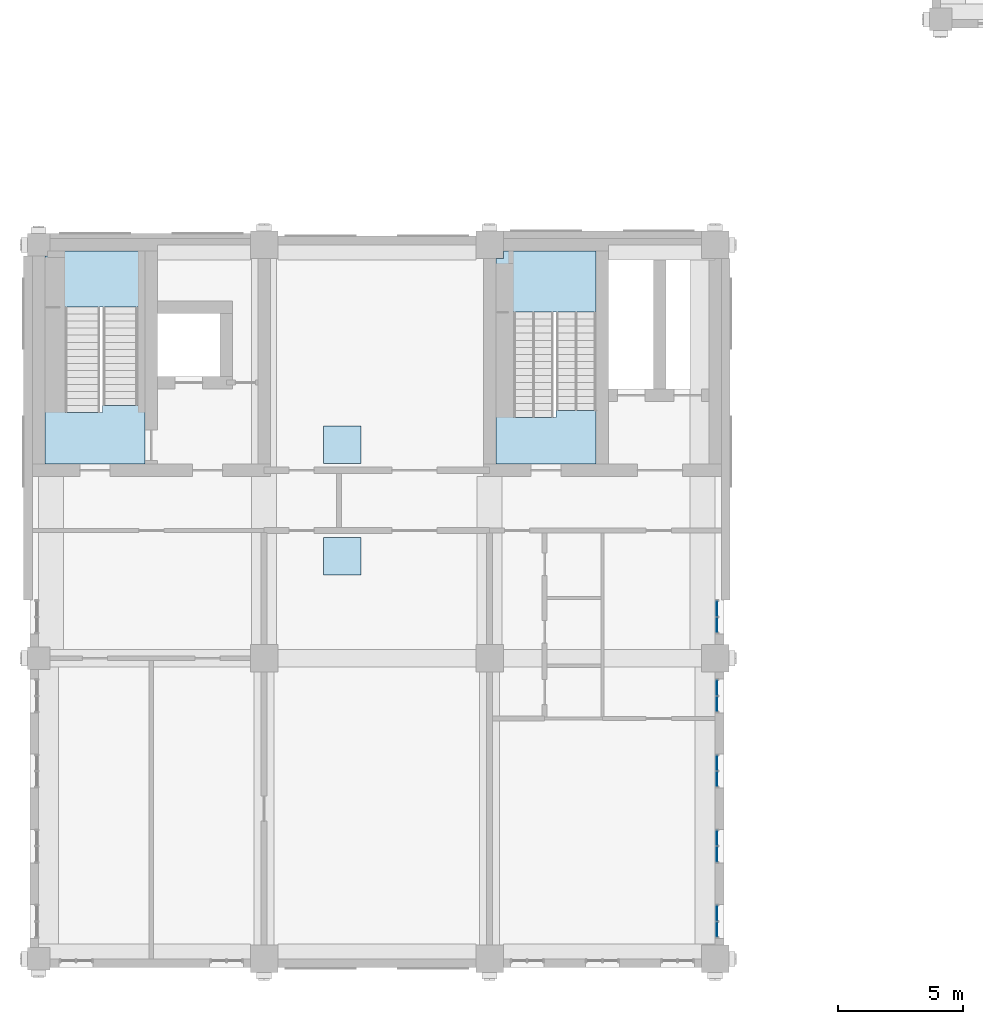
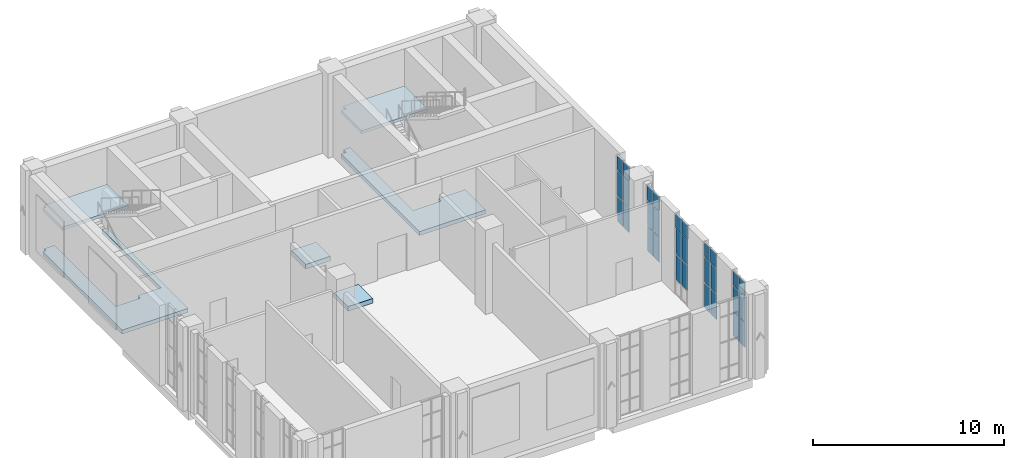
# One storey, part 10 of 25: 30 plates, 6 slabs, 7 elements without a shape of their own.
"""IFC4 building model written with IfcOpenShell, lengths in metres."""

from ifc_helpers import new_model, si_unit, direction, frame, origin, origin_2d, place, context, subcontext, project, spatial, polyline, rectangle, outline, extrude, material, layer, layer_set, type_object, element, aggregate, save


model = new_model("IFC4")

# Units and contexts
model_context = context("Model", 3, precision=1e-05, world=origin(), true_north=direction((0.0, 1.0)))
body_context = subcontext(model_context, "Body", "Model", "MODEL_VIEW")
ifc_project = project(units=[si_unit("LENGTHUNIT", "METRE"), si_unit("AREAUNIT", "SQUARE_METRE"), si_unit("VOLUMEUNIT", "CUBIC_METRE"), si_unit("PLANEANGLEUNIT", "RADIAN"), si_unit("MASSUNIT", "GRAM", prefix="KILO")], contexts=[model_context])

# Site, building, storey
site_placement = place(None, origin())
site = spatial("IfcSite", under=ifc_project, at=site_placement, CompositionType="ELEMENT")
building_placement = place(site_placement, origin())
building = spatial("IfcBuilding", under=site, at=building_placement, Name="Aurelan Courthouse", CompositionType="ELEMENT")
storey_placement = place(building_placement, frame((0.0, 0.0, 33.60009765625)))
storey = spatial("IfcBuildingStorey", under=building, at=storey_placement, Name="L06", CompositionType="ELEMENT", Elevation=33.60009765625)

# Curtain wall, plates
ifc_material_1 = material(Name="Bronze-finished aluminium and glass", Category="aluminium")
ifc_layer_1 = layer(ifc_material_1, 0.14990234375)
ifc_layer_set_1 = layer_set([ifc_layer_1], Name="Bronze-finished aluminium and glass")
curtain_wall_type = type_object("IfcCurtainWallType", Name="Curtain wall 1350 x 5150", PredefinedType="NOTDEFINED", material=ifc_layer_set_1)
curtain_wall_1_placement = place(storey_placement, origin())
curtain_wall_1 = element("IfcCurtainWall", 1, at=curtain_wall_1_placement, inside=storey, type_object=curtain_wall_type, Name="Curtain wall CW-V5-L06-E01", PredefinedType="NOTDEFINED")
ifc_material_2 = material(Name="Limestone cladding", Category="masonry")
ifc_layer_2 = layer(ifc_material_2, 0.0400390625, Name="Facing")
ifc_material_3 = material(Name="Bronze sheet cladding", Category="bronze")
ifc_layer_3 = layer(ifc_material_3, 0.02001953125, Name="Back sheet")
ifc_layer_set_2 = layer_set([ifc_layer_2, ifc_layer_3], Name="Limestone cladding")
plate_type_1 = type_object("IfcPlateType", Name="Limestone spandrel panel with bronze back sheet 60", PredefinedType="CURTAIN_PANEL", material=ifc_layer_set_2)
plate_1_placement = place(storey_placement, frame((27.074951171875, 1.177490234375, 4.22998046875), z_axis=(0.0, 0.0, 1.0), x_axis=(0.0, 1.0, 0.0)))
plate_1 = element("IfcPlate", 2, at=plate_1_placement, type_object=plate_type_1, Name="CW-V5-L06-E01 spandrel panel 1.4", PredefinedType="CURTAIN_PANEL", context=body_context, shape_type="SweptSolid", body=[
    extrude(rectangle(XDim=0.5849609375, YDim=0.06005859375, at=origin_2d()), origin(), (0.0, 0.0, 1.0), 0.860107421875),
])
plate_2_placement = place(storey_placement, frame((27.074951171875, 1.822509765625, 4.22998046875), z_axis=(0.0, 0.0, 1.0), x_axis=(0.0, 1.0, 0.0)))
plate_2 = element("IfcPlate", 3, at=plate_2_placement, type_object=plate_type_1, Name="CW-V5-L06-E01 spandrel panel 2.4", PredefinedType="CURTAIN_PANEL", context=body_context, shape_type="SweptSolid", body=[
    extrude(rectangle(XDim=0.5849609375, YDim=0.06005859375, at=origin_2d()), origin(), (0.0, 0.0, 1.0), 0.860107421875),
])

curtain_wall_2_placement = place(storey_placement, origin())
curtain_wall_2 = element("IfcCurtainWall", 4, at=curtain_wall_2_placement, inside=storey, type_object=curtain_wall_type, Name="Curtain wall CW-V5-L06-E02", PredefinedType="NOTDEFINED")
plate_3_placement = place(storey_placement, frame((27.074951171875, 4.177490234375, 4.22998046875), z_axis=(0.0, 0.0, 1.0), x_axis=(0.0, 1.0, 0.0)))
plate_3 = element("IfcPlate", 5, at=plate_3_placement, type_object=plate_type_1, Name="CW-V5-L06-E02 spandrel panel 1.4", PredefinedType="CURTAIN_PANEL", context=body_context, shape_type="SweptSolid", body=[
    extrude(rectangle(XDim=0.5849609375, YDim=0.06005859375, at=origin_2d()), origin(), (0.0, 0.0, 1.0), 0.860107421875),
])
plate_4_placement = place(storey_placement, frame((27.074951171875, 4.822509765625, 4.22998046875), z_axis=(0.0, 0.0, 1.0), x_axis=(0.0, 1.0, 0.0)))
plate_4 = element("IfcPlate", 6, at=plate_4_placement, type_object=plate_type_1, Name="CW-V5-L06-E02 spandrel panel 2.4", PredefinedType="CURTAIN_PANEL", context=body_context, shape_type="SweptSolid", body=[
    extrude(rectangle(XDim=0.5849609375, YDim=0.06005859375, at=origin_2d()), origin(), (0.0, 0.0, 1.0), 0.860107421875),
])

curtain_wall_3_placement = place(storey_placement, origin())
curtain_wall_3 = element("IfcCurtainWall", 7, at=curtain_wall_3_placement, inside=storey, type_object=curtain_wall_type, Name="Curtain wall CW-V5-L06-E03", PredefinedType="NOTDEFINED")
plate_5_placement = place(storey_placement, frame((27.074951171875, 7.177490234375, 4.22998046875), z_axis=(0.0, 0.0, 1.0), x_axis=(0.0, 1.0, 0.0)))
plate_5 = element("IfcPlate", 8, at=plate_5_placement, type_object=plate_type_1, Name="CW-V5-L06-E03 spandrel panel 1.4", PredefinedType="CURTAIN_PANEL", context=body_context, shape_type="SweptSolid", body=[
    extrude(rectangle(XDim=0.5849609375, YDim=0.06005859375, at=origin_2d()), origin(), (0.0, 0.0, 1.0), 0.860107421875),
])
plate_6_placement = place(storey_placement, frame((27.074951171875, 7.822509765625, 4.22998046875), z_axis=(0.0, 0.0, 1.0), x_axis=(0.0, 1.0, 0.0)))
plate_6 = element("IfcPlate", 9, at=plate_6_placement, type_object=plate_type_1, Name="CW-V5-L06-E03 spandrel panel 2.4", PredefinedType="CURTAIN_PANEL", context=body_context, shape_type="SweptSolid", body=[
    extrude(rectangle(XDim=0.5849609375, YDim=0.06005859375, at=origin_2d()), origin(), (0.0, 0.0, 1.0), 0.860107421875),
])

curtain_wall_4_placement = place(storey_placement, origin())
curtain_wall_4 = element("IfcCurtainWall", 10, at=curtain_wall_4_placement, inside=storey, type_object=curtain_wall_type, Name="Curtain wall CW-V5-L06-E04", PredefinedType="NOTDEFINED")
plate_7_placement = place(storey_placement, frame((27.074951171875, 10.177490234375, 4.22998046875), z_axis=(0.0, 0.0, 1.0), x_axis=(0.0, 1.0, 0.0)))
plate_7 = element("IfcPlate", 11, at=plate_7_placement, type_object=plate_type_1, Name="CW-V5-L06-E04 spandrel panel 1.4", PredefinedType="CURTAIN_PANEL", context=body_context, shape_type="SweptSolid", body=[
    extrude(rectangle(XDim=0.5849609375, YDim=0.06005859375, at=origin_2d()), origin(), (0.0, 0.0, 1.0), 0.860107421875),
])
plate_8_placement = place(storey_placement, frame((27.074951171875, 10.822509765625, 4.22998046875), z_axis=(0.0, 0.0, 1.0), x_axis=(0.0, 1.0, 0.0)))
plate_8 = element("IfcPlate", 12, at=plate_8_placement, type_object=plate_type_1, Name="CW-V5-L06-E04 spandrel panel 2.4", PredefinedType="CURTAIN_PANEL", context=body_context, shape_type="SweptSolid", body=[
    extrude(rectangle(XDim=0.5849609375, YDim=0.06005859375, at=origin_2d()), origin(), (0.0, 0.0, 1.0), 0.860107421875),
])

curtain_wall_5_placement = place(storey_placement, origin())
curtain_wall_5 = element("IfcCurtainWall", 13, at=curtain_wall_5_placement, inside=storey, type_object=curtain_wall_type, Name="Curtain wall CW-V5-L06-E05", PredefinedType="NOTDEFINED")
plate_9_placement = place(storey_placement, frame((27.074951171875, 13.327392578125, 4.22998046875), z_axis=(0.0, 0.0, 1.0), x_axis=(0.0, 1.0, 0.0)))
plate_9 = element("IfcPlate", 14, at=plate_9_placement, type_object=plate_type_1, Name="CW-V5-L06-E05 spandrel panel 1.4", PredefinedType="CURTAIN_PANEL", context=body_context, shape_type="SweptSolid", body=[
    extrude(rectangle(XDim=0.5849609375, YDim=0.06005859375, at=origin_2d()), origin(), (0.0, 0.0, 1.0), 0.860107421875),
])
plate_10_placement = place(storey_placement, frame((27.074951171875, 13.972412109375, 4.22998046875), z_axis=(0.0, 0.0, 1.0), x_axis=(0.0, 1.0, 0.0)))
plate_10 = element("IfcPlate", 15, at=plate_10_placement, type_object=plate_type_1, Name="CW-V5-L06-E05 spandrel panel 2.4", PredefinedType="CURTAIN_PANEL", context=body_context, shape_type="SweptSolid", body=[
    extrude(rectangle(XDim=0.5849609375, YDim=0.06005859375, at=origin_2d()), origin(), (0.0, 0.0, 1.0), 0.860107421875),
])

# Stair, slab
ifc_material_4 = material(Name="Concrete C30", Category="concrete")
stair_type_1 = type_object("IfcStairType", Name="Half-turn stair 1600 wide 31 risers", PredefinedType="HALF_TURN_STAIR", material=ifc_material_4)
stair_1_placement = place(storey_placement, origin())
stair_1 = element("IfcStair", 16, at=stair_1_placement, inside=storey, type_object=stair_type_1, Name="Stair ST-5A-L06", PredefinedType="HALF_TURN_STAIR")
ifc_layer_4 = layer(ifc_material_4, 0.25)
ifc_layer_set_3 = layer_set([ifc_layer_4], Name="Concrete C30")
slab_type_1 = type_object("IfcSlabType", Name="Stair floor landing 250 thick", PredefinedType="LANDING", material=ifc_layer_set_3)
slab_1_placement = place(storey_placement, frame((0.0, 0.0, -0.25)))
slab_1 = element("IfcSlab", 17, at=slab_1_placement, type_object=slab_type_1, Name="Stair ST-5A-L06 floor landing", PredefinedType="LANDING", context=body_context, shape_type="SweptSolid", body=[
    extrude(outline(polyline([(18.949951171875, 21.611083984375), (20.64990234375, 21.611083984375), (20.64990234375, 21.89111328125), (22.25, 21.89111328125), (22.25, 21.611083984375), (22.25, 21.60888671875), (22.25, 19.75), (18.25, 19.75), (18.25, 27.949951171875), (18.550048828125, 27.949951171875), (18.550048828125, 28.25), (18.949951171875, 28.25), (18.949951171875, 21.611083984375)])), origin(), (0.0, 0.0, 1.0), 0.25),
])

stair_type_2 = type_object("IfcStairType", Name="Half-turn stair 1400 wide 31 risers", PredefinedType="HALF_TURN_STAIR", material=ifc_material_4)
stair_2_placement = place(storey_placement, origin())
stair_2 = element("IfcStair", 18, at=stair_2_placement, inside=storey, type_object=stair_type_2, Name="Stair ST-5B-L06", PredefinedType="HALF_TURN_STAIR")
slab_2_placement = place(storey_placement, frame((0.0, 0.0, -0.25)))
slab_2 = element("IfcSlab", 19, at=slab_2_placement, type_object=slab_type_1, Name="Stair ST-5B-L06 floor landing", PredefinedType="LANDING", context=body_context, shape_type="SweptSolid", body=[
    extrude(outline(polyline([(1.06005859375, 28.25), (1.06005859375, 21.81103515625), (2.56005859375, 21.81103515625), (2.56005859375, 22.091064453125), (3.9599609375, 22.091064453125), (3.9599609375, 28.25), (4.25, 28.25), (4.25, 19.75), (0.409912109375, 19.75), (0.39990234375, 19.75), (0.25, 19.75), (0.25, 28.050048828125), (0.449951171875, 28.050048828125), (0.449951171875, 28.25), (1.06005859375, 28.25)])), origin(), (0.0, 0.0, 1.0), 0.25),
])

# Slab
ifc_layer_5 = layer(ifc_material_4, 0.199951171875)
ifc_layer_set_4 = layer_set([ifc_layer_5], Name="Concrete C30")
slab_type_2 = type_object("IfcSlabType", Name="Stair half landing 200 thick", PredefinedType="LANDING", material=ifc_layer_set_4)
slab_3_placement = place(storey_placement, frame((0.0, 0.0, 2.5869140625)))
slab_3 = element("IfcSlab", 20, at=slab_3_placement, type_object=slab_type_2, Name="Stair ST-5A-L06 half landing", PredefinedType="LANDING", context=body_context, shape_type="SweptSolid", body=[
    extrude(outline(polyline([(18.25, 27.949951171875), (18.550048828125, 27.949951171875), (18.550048828125, 28.25), (22.25, 28.25), (22.25, 25.81005859375), (18.25, 25.81005859375), (18.25, 27.949951171875)])), origin(), (0.0, 0.0, 1.0), 0.2001953125),
])

aggregate(stair_1, [slab_3, slab_1])

slab_4_placement = place(storey_placement, frame((0.0, 0.0, 2.5869140625)))
slab_4 = element("IfcSlab", 21, at=slab_4_placement, type_object=slab_type_2, Name="Stair ST-5B-L06 half landing", PredefinedType="LANDING", context=body_context, shape_type="SweptSolid", body=[
    extrude(outline(polyline([(4.25, 28.25), (4.25, 26.010009765625), (0.25, 26.010009765625), (0.25, 28.050048828125), (0.449951171875, 28.050048828125), (0.449951171875, 28.25), (4.25, 28.25)])), origin(), (0.0, 0.0, 1.0), 0.2001953125),
])

aggregate(stair_2, [slab_4, slab_2])

# Plate
ifc_material_5 = material(Name="Laminated low-emissivity glass", Category="glass")
ifc_layer_6 = layer(ifc_material_5, 0.028076171875)
ifc_layer_set_5 = layer_set([ifc_layer_6], Name="Laminated low-emissivity glass")
plate_type_2 = type_object("IfcPlateType", Name="Vision glass panel 28", PredefinedType="CURTAIN_PANEL", material=ifc_layer_set_5)
plate_11_placement = place(storey_placement, frame((27.074951171875, 1.177490234375, 0.9296875), z_axis=(0.0, 0.0, 1.0), x_axis=(0.0, 1.0, 0.0)))
plate_11 = element("IfcPlate", 22, at=plate_11_placement, type_object=plate_type_2, Name="CW-V5-L06-E01 vision panel 1.2", PredefinedType="CURTAIN_PANEL", context=body_context, shape_type="SweptSolid", body=[
    extrude(rectangle(XDim=0.5849609375, YDim=0.028076171875, at=origin_2d()), origin(), (0.0, 0.0, 1.0), 1.590087890625),
])

plate_12_placement = place(storey_placement, frame((27.074951171875, 1.177490234375, 2.580078125), z_axis=(0.0, 0.0, 1.0), x_axis=(0.0, 1.0, 0.0)))
plate_12 = element("IfcPlate", 23, at=plate_12_placement, type_object=plate_type_2, Name="CW-V5-L06-E01 vision panel 1.3", PredefinedType="CURTAIN_PANEL", context=body_context, shape_type="SweptSolid", body=[
    extrude(rectangle(XDim=0.5849609375, YDim=0.028076171875, at=origin_2d()), origin(), (0.0, 0.0, 1.0), 1.590087890625),
])

plate_13_placement = place(storey_placement, frame((27.074951171875, 1.822509765625, 0.9296875), z_axis=(0.0, 0.0, 1.0), x_axis=(0.0, 1.0, 0.0)))
plate_13 = element("IfcPlate", 24, at=plate_13_placement, type_object=plate_type_2, Name="CW-V5-L06-E01 vision panel 2.2", PredefinedType="CURTAIN_PANEL", context=body_context, shape_type="SweptSolid", body=[
    extrude(rectangle(XDim=0.5849609375, YDim=0.028076171875, at=origin_2d()), origin(), (0.0, 0.0, 1.0), 1.590087890625),
])

plate_14_placement = place(storey_placement, frame((27.074951171875, 1.822509765625, 2.580078125), z_axis=(0.0, 0.0, 1.0), x_axis=(0.0, 1.0, 0.0)))
plate_14 = element("IfcPlate", 25, at=plate_14_placement, type_object=plate_type_2, Name="CW-V5-L06-E01 vision panel 2.3", PredefinedType="CURTAIN_PANEL", context=body_context, shape_type="SweptSolid", body=[
    extrude(rectangle(XDim=0.5849609375, YDim=0.028076171875, at=origin_2d()), origin(), (0.0, 0.0, 1.0), 1.590087890625),
])

aggregate(curtain_wall_1, [plate_11, plate_12, plate_1, plate_13, plate_14, plate_2])

plate_15_placement = place(storey_placement, frame((27.074951171875, 4.177490234375, 0.9296875), z_axis=(0.0, 0.0, 1.0), x_axis=(0.0, 1.0, 0.0)))
plate_15 = element("IfcPlate", 26, at=plate_15_placement, type_object=plate_type_2, Name="CW-V5-L06-E02 vision panel 1.2", PredefinedType="CURTAIN_PANEL", context=body_context, shape_type="SweptSolid", body=[
    extrude(rectangle(XDim=0.5849609375, YDim=0.028076171875, at=origin_2d()), origin(), (0.0, 0.0, 1.0), 1.590087890625),
])

plate_16_placement = place(storey_placement, frame((27.074951171875, 4.177490234375, 2.580078125), z_axis=(0.0, 0.0, 1.0), x_axis=(0.0, 1.0, 0.0)))
plate_16 = element("IfcPlate", 27, at=plate_16_placement, type_object=plate_type_2, Name="CW-V5-L06-E02 vision panel 1.3", PredefinedType="CURTAIN_PANEL", context=body_context, shape_type="SweptSolid", body=[
    extrude(rectangle(XDim=0.5849609375, YDim=0.028076171875, at=origin_2d()), origin(), (0.0, 0.0, 1.0), 1.590087890625),
])

plate_17_placement = place(storey_placement, frame((27.074951171875, 4.822509765625, 0.9296875), z_axis=(0.0, 0.0, 1.0), x_axis=(0.0, 1.0, 0.0)))
plate_17 = element("IfcPlate", 28, at=plate_17_placement, type_object=plate_type_2, Name="CW-V5-L06-E02 vision panel 2.2", PredefinedType="CURTAIN_PANEL", context=body_context, shape_type="SweptSolid", body=[
    extrude(rectangle(XDim=0.5849609375, YDim=0.028076171875, at=origin_2d()), origin(), (0.0, 0.0, 1.0), 1.590087890625),
])

plate_18_placement = place(storey_placement, frame((27.074951171875, 4.822509765625, 2.580078125), z_axis=(0.0, 0.0, 1.0), x_axis=(0.0, 1.0, 0.0)))
plate_18 = element("IfcPlate", 29, at=plate_18_placement, type_object=plate_type_2, Name="CW-V5-L06-E02 vision panel 2.3", PredefinedType="CURTAIN_PANEL", context=body_context, shape_type="SweptSolid", body=[
    extrude(rectangle(XDim=0.5849609375, YDim=0.028076171875, at=origin_2d()), origin(), (0.0, 0.0, 1.0), 1.590087890625),
])

aggregate(curtain_wall_2, [plate_15, plate_16, plate_3, plate_17, plate_18, plate_4])

plate_19_placement = place(storey_placement, frame((27.074951171875, 7.177490234375, 0.9296875), z_axis=(0.0, 0.0, 1.0), x_axis=(0.0, 1.0, 0.0)))
plate_19 = element("IfcPlate", 30, at=plate_19_placement, type_object=plate_type_2, Name="CW-V5-L06-E03 vision panel 1.2", PredefinedType="CURTAIN_PANEL", context=body_context, shape_type="SweptSolid", body=[
    extrude(rectangle(XDim=0.5849609375, YDim=0.028076171875, at=origin_2d()), origin(), (0.0, 0.0, 1.0), 1.590087890625),
])

plate_20_placement = place(storey_placement, frame((27.074951171875, 7.177490234375, 2.580078125), z_axis=(0.0, 0.0, 1.0), x_axis=(0.0, 1.0, 0.0)))
plate_20 = element("IfcPlate", 31, at=plate_20_placement, type_object=plate_type_2, Name="CW-V5-L06-E03 vision panel 1.3", PredefinedType="CURTAIN_PANEL", context=body_context, shape_type="SweptSolid", body=[
    extrude(rectangle(XDim=0.5849609375, YDim=0.028076171875, at=origin_2d()), origin(), (0.0, 0.0, 1.0), 1.590087890625),
])

plate_21_placement = place(storey_placement, frame((27.074951171875, 7.822509765625, 0.9296875), z_axis=(0.0, 0.0, 1.0), x_axis=(0.0, 1.0, 0.0)))
plate_21 = element("IfcPlate", 32, at=plate_21_placement, type_object=plate_type_2, Name="CW-V5-L06-E03 vision panel 2.2", PredefinedType="CURTAIN_PANEL", context=body_context, shape_type="SweptSolid", body=[
    extrude(rectangle(XDim=0.5849609375, YDim=0.028076171875, at=origin_2d()), origin(), (0.0, 0.0, 1.0), 1.590087890625),
])

plate_22_placement = place(storey_placement, frame((27.074951171875, 7.822509765625, 2.580078125), z_axis=(0.0, 0.0, 1.0), x_axis=(0.0, 1.0, 0.0)))
plate_22 = element("IfcPlate", 33, at=plate_22_placement, type_object=plate_type_2, Name="CW-V5-L06-E03 vision panel 2.3", PredefinedType="CURTAIN_PANEL", context=body_context, shape_type="SweptSolid", body=[
    extrude(rectangle(XDim=0.5849609375, YDim=0.028076171875, at=origin_2d()), origin(), (0.0, 0.0, 1.0), 1.590087890625),
])

aggregate(curtain_wall_3, [plate_19, plate_20, plate_5, plate_21, plate_22, plate_6])

plate_23_placement = place(storey_placement, frame((27.074951171875, 10.177490234375, 0.9296875), z_axis=(0.0, 0.0, 1.0), x_axis=(0.0, 1.0, 0.0)))
plate_23 = element("IfcPlate", 34, at=plate_23_placement, type_object=plate_type_2, Name="CW-V5-L06-E04 vision panel 1.2", PredefinedType="CURTAIN_PANEL", context=body_context, shape_type="SweptSolid", body=[
    extrude(rectangle(XDim=0.5849609375, YDim=0.028076171875, at=origin_2d()), origin(), (0.0, 0.0, 1.0), 1.590087890625),
])

plate_24_placement = place(storey_placement, frame((27.074951171875, 10.177490234375, 2.580078125), z_axis=(0.0, 0.0, 1.0), x_axis=(0.0, 1.0, 0.0)))
plate_24 = element("IfcPlate", 35, at=plate_24_placement, type_object=plate_type_2, Name="CW-V5-L06-E04 vision panel 1.3", PredefinedType="CURTAIN_PANEL", context=body_context, shape_type="SweptSolid", body=[
    extrude(rectangle(XDim=0.5849609375, YDim=0.028076171875, at=origin_2d()), origin(), (0.0, 0.0, 1.0), 1.590087890625),
])

plate_25_placement = place(storey_placement, frame((27.074951171875, 10.822509765625, 0.9296875), z_axis=(0.0, 0.0, 1.0), x_axis=(0.0, 1.0, 0.0)))
plate_25 = element("IfcPlate", 36, at=plate_25_placement, type_object=plate_type_2, Name="CW-V5-L06-E04 vision panel 2.2", PredefinedType="CURTAIN_PANEL", context=body_context, shape_type="SweptSolid", body=[
    extrude(rectangle(XDim=0.5849609375, YDim=0.028076171875, at=origin_2d()), origin(), (0.0, 0.0, 1.0), 1.590087890625),
])

plate_26_placement = place(storey_placement, frame((27.074951171875, 10.822509765625, 2.580078125), z_axis=(0.0, 0.0, 1.0), x_axis=(0.0, 1.0, 0.0)))
plate_26 = element("IfcPlate", 37, at=plate_26_placement, type_object=plate_type_2, Name="CW-V5-L06-E04 vision panel 2.3", PredefinedType="CURTAIN_PANEL", context=body_context, shape_type="SweptSolid", body=[
    extrude(rectangle(XDim=0.5849609375, YDim=0.028076171875, at=origin_2d()), origin(), (0.0, 0.0, 1.0), 1.590087890625),
])

aggregate(curtain_wall_4, [plate_23, plate_24, plate_7, plate_25, plate_26, plate_8])

plate_27_placement = place(storey_placement, frame((27.074951171875, 13.327392578125, 0.9296875), z_axis=(0.0, 0.0, 1.0), x_axis=(0.0, 1.0, 0.0)))
plate_27 = element("IfcPlate", 38, at=plate_27_placement, type_object=plate_type_2, Name="CW-V5-L06-E05 vision panel 1.2", PredefinedType="CURTAIN_PANEL", context=body_context, shape_type="SweptSolid", body=[
    extrude(rectangle(XDim=0.5849609375, YDim=0.028076171875, at=origin_2d()), origin(), (0.0, 0.0, 1.0), 1.590087890625),
])

plate_28_placement = place(storey_placement, frame((27.074951171875, 13.327392578125, 2.580078125), z_axis=(0.0, 0.0, 1.0), x_axis=(0.0, 1.0, 0.0)))
plate_28 = element("IfcPlate", 39, at=plate_28_placement, type_object=plate_type_2, Name="CW-V5-L06-E05 vision panel 1.3", PredefinedType="CURTAIN_PANEL", context=body_context, shape_type="SweptSolid", body=[
    extrude(rectangle(XDim=0.5849609375, YDim=0.028076171875, at=origin_2d()), origin(), (0.0, 0.0, 1.0), 1.590087890625),
])

plate_29_placement = place(storey_placement, frame((27.074951171875, 13.972412109375, 0.9296875), z_axis=(0.0, 0.0, 1.0), x_axis=(0.0, 1.0, 0.0)))
plate_29 = element("IfcPlate", 40, at=plate_29_placement, type_object=plate_type_2, Name="CW-V5-L06-E05 vision panel 2.2", PredefinedType="CURTAIN_PANEL", context=body_context, shape_type="SweptSolid", body=[
    extrude(rectangle(XDim=0.5849609375, YDim=0.028076171875, at=origin_2d()), origin(), (0.0, 0.0, 1.0), 1.590087890625),
])

plate_30_placement = place(storey_placement, frame((27.074951171875, 13.972412109375, 2.580078125), z_axis=(0.0, 0.0, 1.0), x_axis=(0.0, 1.0, 0.0)))
plate_30 = element("IfcPlate", 41, at=plate_30_placement, type_object=plate_type_2, Name="CW-V5-L06-E05 vision panel 2.3", PredefinedType="CURTAIN_PANEL", context=body_context, shape_type="SweptSolid", body=[
    extrude(rectangle(XDim=0.5849609375, YDim=0.028076171875, at=origin_2d()), origin(), (0.0, 0.0, 1.0), 1.590087890625),
])

aggregate(curtain_wall_5, [plate_27, plate_28, plate_9, plate_29, plate_30, plate_10])

# Slabs
ifc_layer_7 = layer(ifc_material_4, 0.300048828125)
ifc_layer_set_6 = layer_set([ifc_layer_7], Name="Concrete C30")
slab_type_3 = type_object("IfcSlabType", Name="Witness dais 300", PredefinedType="FLOOR", material=ifc_layer_set_6)
slab_5_placement = place(storey_placement, origin())
element("IfcSlab", 42, at=slab_5_placement, inside=storey, type_object=slab_type_3, Name="Witness dais Labour Courtroom 5.06.01", PredefinedType="FLOOR", context=body_context, shape_type="SweptSolid", body=[
    extrude(outline(polyline([(11.375, 15.324951171875), (12.875, 15.324951171875), (12.875, 16.824951171875), (11.375, 16.824951171875), (11.375, 15.324951171875)])), origin(), (0.0, 0.0, 1.0), 0.2998046875),
])
slab_6_placement = place(storey_placement, origin())
element("IfcSlab", 43, at=slab_6_placement, inside=storey, type_object=slab_type_3, Name="Witness dais Labour Hearing Courtroom 5.06.01", PredefinedType="FLOOR", context=body_context, shape_type="SweptSolid", body=[
    extrude(outline(polyline([(11.375, 19.77490234375), (12.875, 19.77490234375), (12.875, 21.27490234375), (11.375, 21.27490234375), (11.375, 19.77490234375)])), origin(), (0.0, 0.0, 1.0), 0.2998046875),
])

save(model, "model.ifc")
